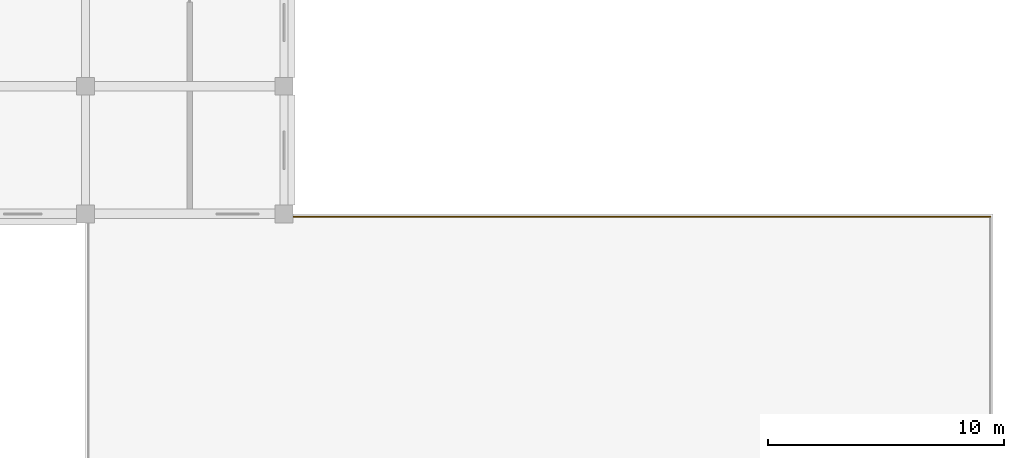
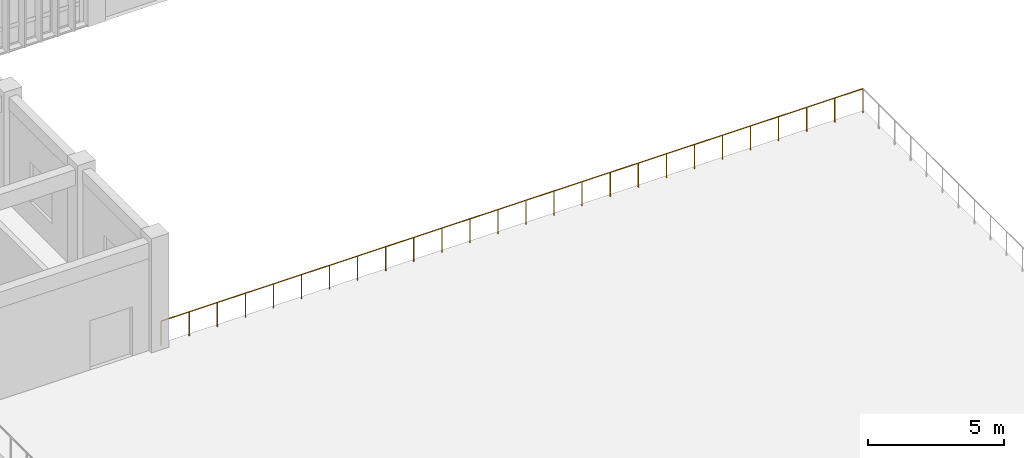
# One storey, part 92 of 93: 1 railing.
"""IFC4 building model written with IfcOpenShell, lengths in metres."""

from ifc_helpers import new_model, si_unit, direction, frame, origin, origin_2d, place, context, subcontext, project, spatial, circle, extrude, material, type_object, element, save


model = new_model("IFC4")

# Units and contexts
model_context = context("Model", 3, precision=1e-05, world=origin(), true_north=direction((0.0, 1.0)))
body_context = subcontext(model_context, "Body", "Model", "MODEL_VIEW")
ifc_project = project(units=[si_unit("LENGTHUNIT", "METRE"), si_unit("AREAUNIT", "SQUARE_METRE"), si_unit("VOLUMEUNIT", "CUBIC_METRE"), si_unit("PLANEANGLEUNIT", "RADIAN"), si_unit("MASSUNIT", "GRAM", prefix="KILO")], contexts=[model_context])

# Site, building, storey
site_placement = place(None, origin())
site = spatial("IfcSite", under=ifc_project, at=site_placement, CompositionType="ELEMENT")
building_placement = place(site_placement, origin())
building = spatial("IfcBuilding", under=site, at=building_placement, Name="Krzemoval Escarpment Law Courts", CompositionType="ELEMENT")
storey_placement = place(building_placement, frame((0.0, 0.0, 10.199951171875)))
storey = spatial("IfcBuildingStorey", under=building, at=storey_placement, Name="L02", CompositionType="ELEMENT", Elevation=10.199951171875)

# Railing
ifc_material = material(Name="Stainless Steel Grade 316L and Laminated Safety Glass Guard", Category="steel")
railing_type = type_object("IfcRailingType", Name="RL-BAL-1100", PredefinedType="BALUSTRADE", material=ifc_material)
railing_placement = place(storey_placement, frame((142.98388671875, 74.280029296875, 0.0)))
element("IfcRailing", 1, at=railing_placement, inside=storey, type_object=railing_type, Name="Terrace Guardrail BG-L02-002", PredefinedType="BALUSTRADE", context=body_context, shape_type="SweptSolid", body=[
    extrude(circle(Radius=0.02392578125, at=origin_2d()), frame((0.0, 0.0, 1.076171875), z_axis=(1.0, 0.0, 0.0), x_axis=(0.0, 1.0, 0.0)), (0.0, 0.0, 1.0), 29.696044921875),
    extrude(circle(Radius=0.02099609375, at=origin_2d()), origin(), (0.0, 0.0, 1.0), 1.052001953125),
    extrude(circle(Radius=0.02099609375, at=origin_2d()), frame((1.187744140625, 0.0, 0.0)), (0.0, 0.0, 1.0), 1.052001953125),
    extrude(circle(Radius=0.02099609375, at=origin_2d()), frame((2.375732421875, 0.0, 0.0)), (0.0, 0.0, 1.0), 1.052001953125),
    extrude(circle(Radius=0.02099609375, at=origin_2d()), frame((3.5634765625, 0.0, 0.0)), (0.0, 0.0, 1.0), 1.052001953125),
    extrude(circle(Radius=0.02099609375, at=origin_2d()), frame((4.75146484375, 0.0, 0.0)), (0.0, 0.0, 1.0), 1.052001953125),
    extrude(circle(Radius=0.02099609375, at=origin_2d()), frame((5.939208984375, 0.0, 0.0)), (0.0, 0.0, 1.0), 1.052001953125),
    extrude(circle(Radius=0.02099609375, at=origin_2d()), frame((7.126953125, 0.0, 0.0)), (0.0, 0.0, 1.0), 1.052001953125),
    extrude(circle(Radius=0.02099609375, at=origin_2d()), frame((8.31494140625, 0.0, 0.0)), (0.0, 0.0, 1.0), 1.052001953125),
    extrude(circle(Radius=0.02099609375, at=origin_2d()), frame((9.502685546875, 0.0, 0.0)), (0.0, 0.0, 1.0), 1.052001953125),
    extrude(circle(Radius=0.02099609375, at=origin_2d()), frame((10.690673828125, 0.0, 0.0)), (0.0, 0.0, 1.0), 1.052001953125),
    extrude(circle(Radius=0.02099609375, at=origin_2d()), frame((11.87841796875, 0.0, 0.0)), (0.0, 0.0, 1.0), 1.052001953125),
    extrude(circle(Radius=0.02099609375, at=origin_2d()), frame((13.066162109375, 0.0, 0.0)), (0.0, 0.0, 1.0), 1.052001953125),
    extrude(circle(Radius=0.02099609375, at=origin_2d()), frame((14.254150390625, 0.0, 0.0)), (0.0, 0.0, 1.0), 1.052001953125),
    extrude(circle(Radius=0.02099609375, at=origin_2d()), frame((15.44189453125, 0.0, 0.0)), (0.0, 0.0, 1.0), 1.052001953125),
    extrude(circle(Radius=0.02099609375, at=origin_2d()), frame((16.6298828125, 0.0, 0.0)), (0.0, 0.0, 1.0), 1.052001953125),
    extrude(circle(Radius=0.02099609375, at=origin_2d()), frame((17.817626953125, 0.0, 0.0)), (0.0, 0.0, 1.0), 1.052001953125),
    extrude(circle(Radius=0.02099609375, at=origin_2d()), frame((19.00537109375, 0.0, 0.0)), (0.0, 0.0, 1.0), 1.052001953125),
    extrude(circle(Radius=0.02099609375, at=origin_2d()), frame((20.193359375, 0.0, 0.0)), (0.0, 0.0, 1.0), 1.052001953125),
    extrude(circle(Radius=0.02099609375, at=origin_2d()), frame((21.381103515625, 0.0, 0.0)), (0.0, 0.0, 1.0), 1.052001953125),
    extrude(circle(Radius=0.02099609375, at=origin_2d()), frame((22.569091796875, 0.0, 0.0)), (0.0, 0.0, 1.0), 1.052001953125),
    extrude(circle(Radius=0.02099609375, at=origin_2d()), frame((23.7568359375, 0.0, 0.0)), (0.0, 0.0, 1.0), 1.052001953125),
    extrude(circle(Radius=0.02099609375, at=origin_2d()), frame((24.944580078125, 0.0, 0.0)), (0.0, 0.0, 1.0), 1.052001953125),
    extrude(circle(Radius=0.02099609375, at=origin_2d()), frame((26.132568359375, 0.0, 0.0)), (0.0, 0.0, 1.0), 1.052001953125),
    extrude(circle(Radius=0.02099609375, at=origin_2d()), frame((27.3203125, 0.0, 0.0)), (0.0, 0.0, 1.0), 1.052001953125),
    extrude(circle(Radius=0.02099609375, at=origin_2d()), frame((28.50830078125, 0.0, 0.0)), (0.0, 0.0, 1.0), 1.052001953125),
    extrude(circle(Radius=0.02099609375, at=origin_2d()), frame((29.696044921875, 0.0, 0.0)), (0.0, 0.0, 1.0), 1.052001953125),
])

save(model, "model.ifc")
